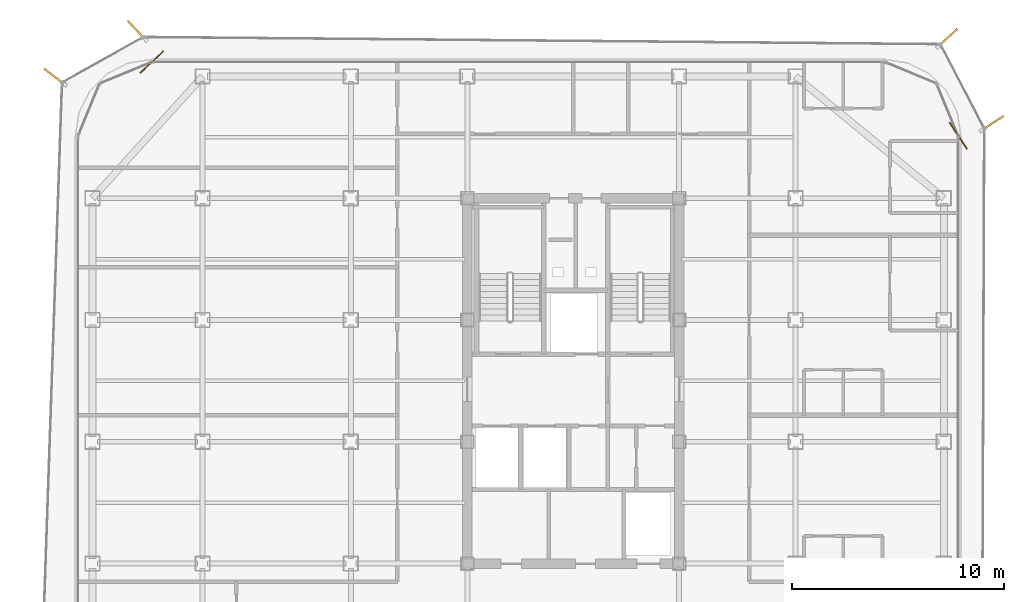
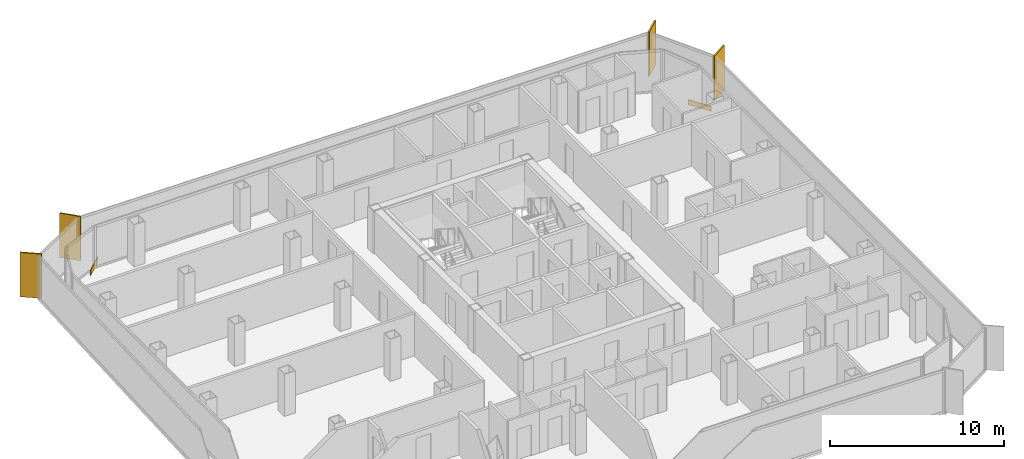
# One storey, part 15 of 15: 4 shading devices, 2 coverings.
"""IFC4 building model written with IfcOpenShell, lengths in metres."""

from ifc_helpers import new_model, si_unit, direction, frame, origin, origin_2d, place, context, subcontext, project, spatial, rectangle, extrude, source, transform, mapped, material, layer, layer_set, type_object, element, save


model = new_model("IFC4")

# Units and contexts
model_context = context("Model", 3, precision=1e-05, world=origin(), true_north=direction((0.0, 1.0)))
body_context = subcontext(model_context, "Body", "Model", "MODEL_VIEW")
ifc_project = project(units=[si_unit("LENGTHUNIT", "METRE"), si_unit("AREAUNIT", "SQUARE_METRE"), si_unit("VOLUMEUNIT", "CUBIC_METRE"), si_unit("PLANEANGLEUNIT", "RADIAN"), si_unit("MASSUNIT", "GRAM", prefix="KILO")], contexts=[model_context])

# Site, building, storey
site_placement = place(None, origin())
site = spatial("IfcSite", under=ifc_project, at=site_placement, CompositionType="ELEMENT")
building_placement = place(site_placement, origin())
building = spatial("IfcBuilding", under=site, at=building_placement, Name="Kolveth Station Tower", CompositionType="ELEMENT")
storey_placement = place(building_placement, frame((0.0, 0.0, 165.699951171875)))
storey = spatial("IfcBuildingStorey", under=building, at=storey_placement, Name="L46", CompositionType="ELEMENT", Elevation=165.699951171875)

# Shading devices
ifc_material_1 = material(Name="Black anodized aluminium 6063-T6", Category="aluminium")
shading_device_type = type_object("IfcShadingDeviceType", Name="FIN_VF1", PredefinedType="USERDEFINED", material=ifc_material_1)
shared_shape_1 = source(origin(), body_context, "Body", "SweptSolid", [
    extrude(rectangle(XDim=1.25, YDim=0.090087890625, at=origin_2d()), origin(), (0.0, 0.0, 1.0), 3.10009765625),
])
for number, where, z_axis, x_axis, name in (
    (1, (43.29296875, 32.2900390625, 0.0), (0.0, 0.0, 1.0), (0.836955398099, 0.547271104292, 0.0), "L46 Dark-Aluminium Solar Fin 3"),
    (2, (41.178955078125, 36.322021484375, 0.0), (0.0, 0.0, 1.0), (0.735624359204, 0.677389697402, 0.0), "L46 Dark-Aluminium Solar Fin 4"),
    (3, (2.885986328125, 36.680908203125, 0.0), (0.0, 0.0, 1.0), (-0.687467850211, 0.726214813211, 0.0), "L46 Dark-Aluminium Solar Fin 5"),
    (4, (-0.987060546875, 34.485107421875, 0.0), (0.0, 0.0, 1.0), (-0.792609005996, 0.609730238396, 0.0), "L46 Dark-Aluminium Solar Fin 6"),
):
    element("IfcShadingDevice", number, at=place(storey_placement, frame(where, z_axis=z_axis, x_axis=x_axis)), inside=storey, type_object=shading_device_type, Name=name, ObjectType="FIN", PredefinedType="USERDEFINED", context=body_context, shape_type="MappedRepresentation", body=[
        mapped(shared_shape_1, transform((0.0, 0.0, 0.0), x_axis=(1.0, 0.0, 0.0), y_axis=(0.0, 1.0, 0.0), z_axis=(0.0, 0.0, 1.0), scale=1.0)),
    ])

# Coverings
ifc_material_2 = material(Name="Charcoal anodized aluminium spandrel cladding", Category="aluminium")
ifc_layer = layer(ifc_material_2, 0.044921875)
ifc_layer_set = layer_set([ifc_layer], Name="Charcoal anodized aluminium spandrel cladding")
covering_type = type_object("IfcCoveringType", Name="Clad_CD1", PredefinedType="CLADDING", material=ifc_layer_set)
shared_shape_2 = source(origin(), body_context, "Body", "SweptSolid", [
    extrude(rectangle(XDim=1.5, YDim=0.044921875, at=origin_2d()), origin(), (0.0, 0.0, 1.0), 0.360107421875),
])
for number, where, z_axis, x_axis, name in (
    (5, (41.679931640625, 31.699951171875, 0.0), (0.0, 0.0, 1.0), (-0.547271104292, 0.836955398099, 0.0), "L46 Spandrel Edge Cladding 3"),
    (6, (3.60009765625, 35.179931640625, 0.0), (0.0, 0.0, 1.0), (-0.726214813211, -0.687467850211, 0.0), "L46 Spandrel Edge Cladding 5"),
):
    element("IfcCovering", number, at=place(storey_placement, frame(where, z_axis=z_axis, x_axis=x_axis)), inside=storey, type_object=covering_type, Name=name, PredefinedType="CLADDING", context=body_context, shape_type="MappedRepresentation", body=[
        mapped(shared_shape_2, transform((0.0, 0.0, 0.0), x_axis=(1.0, 0.0, 0.0), y_axis=(0.0, 1.0, 0.0), z_axis=(0.0, 0.0, 1.0), scale=1.0)),
    ])

save(model, "model.ifc")
